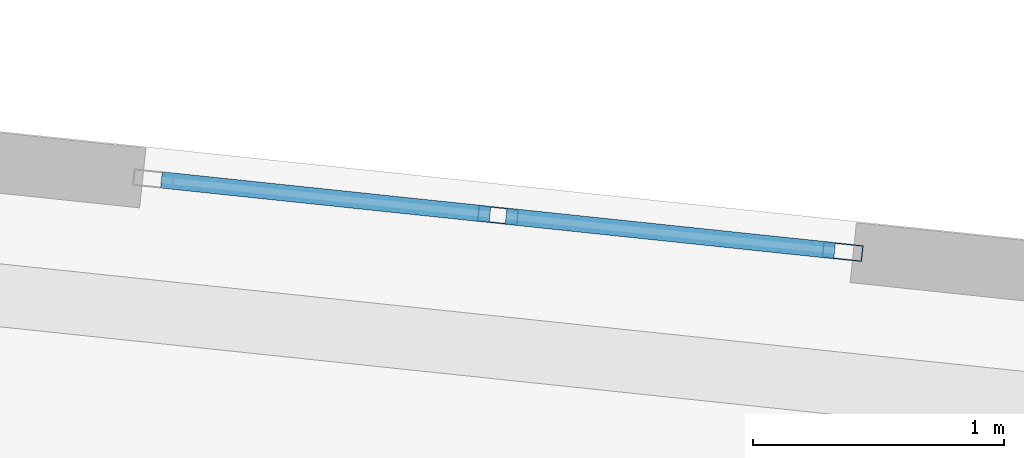
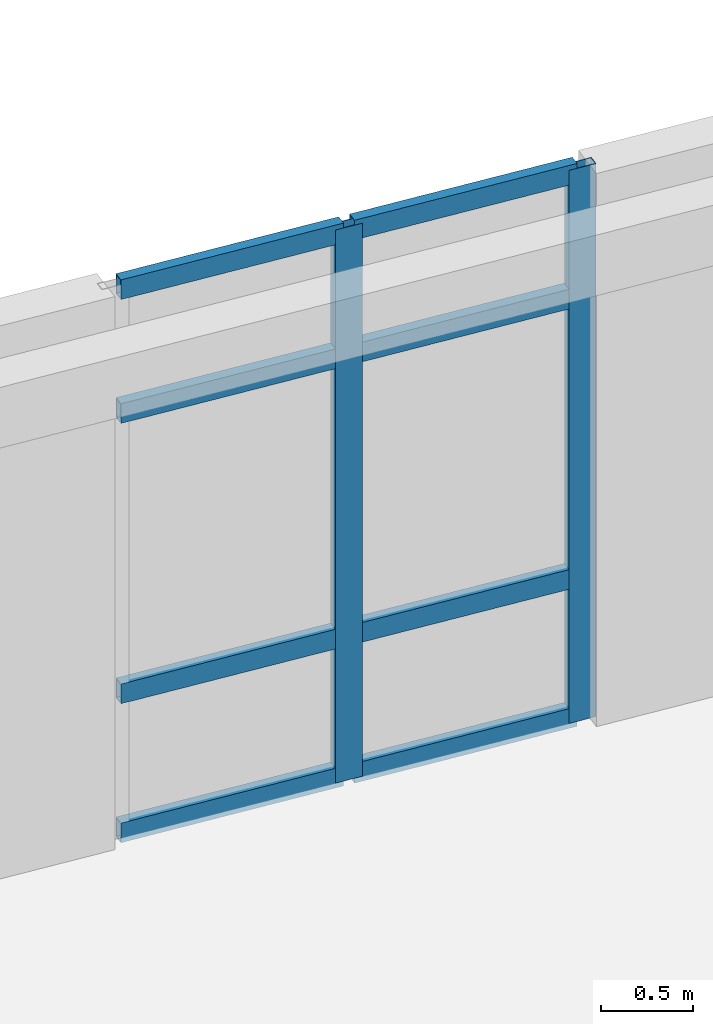
# One storey, part 62 of 150: 10 members, 1 element without a shape of its own.
"""IFC4 building model written with IfcOpenShell, lengths in metres."""

from ifc_helpers import new_model, si_unit, direction, frame, origin, origin_2d, place, context, subcontext, project, spatial, hollow_rectangle, extrude, material, material_profile, profile_set, type_object, element, aggregate, save


model = new_model("IFC4")

# Units and contexts
model_context = context("Model", 3, precision=1e-05, world=origin(), true_north=direction((0.0, 1.0)))
body_context = subcontext(model_context, "Body", "Model", "MODEL_VIEW")
ifc_project = project(units=[si_unit("LENGTHUNIT", "METRE"), si_unit("AREAUNIT", "SQUARE_METRE"), si_unit("VOLUMEUNIT", "CUBIC_METRE"), si_unit("PLANEANGLEUNIT", "RADIAN"), si_unit("MASSUNIT", "GRAM", prefix="KILO")], contexts=[model_context])

# Site, building, storey
site_placement = place(None, origin())
site = spatial("IfcSite", under=ifc_project, at=site_placement, CompositionType="ELEMENT")
building_placement = place(site_placement, origin())
building = spatial("IfcBuilding", under=site, at=building_placement, Name="Kestramere Prow Commons", CompositionType="ELEMENT")
storey_placement = place(building_placement, frame((0.0, 0.0, 4.5)))
storey = spatial("IfcBuildingStorey", under=building, at=storey_placement, Name="L01", CompositionType="ELEMENT", Elevation=4.5)

# Curtain wall, members
ifc_material_1 = material(Name="Anodised Aluminium and Low-E Glass", Category="aluminium")
curtain_wall_type = type_object("IfcCurtainWallType", Name="CW-02 Glazed Curtain Wall 2830x3650", PredefinedType="USERDEFINED", material=ifc_material_1)
curtain_wall_placement = place(storey_placement, origin())
curtain_wall = element("IfcCurtainWall", 1, at=curtain_wall_placement, inside=storey, type_object=curtain_wall_type, Name="Block B L01 Stairwell Vertical Glazing 4", ObjectType="GLAZED CURTAIN WALL", PredefinedType="USERDEFINED")
ifc_material_2 = material(Name="Anodised Aluminium 6063-T6", Category="aluminium")
ifc_material_profile_1 = material_profile(ifc_material_2, hollow_rectangle(XDim=0.06494140625, YDim=0.159912109375, WallThickness=0.00390625, at=origin_2d()), Name="ALU-MUL 65x160")
ifc_profile_set_1 = profile_set([ifc_material_profile_1], Name="Anodised Aluminium 6063-T6")
member_type_1 = type_object("IfcMemberType", Name="CW-MUL-65x160", PredefinedType="MULLION", material=ifc_profile_set_1)
member_1_placement = place(storey_placement, frame((139.9501953125, 111.887939453125, 0.0), z_axis=(0.0, 0.0, 1.0), x_axis=(0.104528618845, 0.994521879016, 0.0)))
member_1 = element("IfcMember", 2, at=member_1_placement, type_object=member_type_1, Name="CW-02 mullion 2", PredefinedType="MULLION", context=body_context, shape_type="SweptSolid", body=[
    extrude(hollow_rectangle(XDim=0.06494140625, YDim=0.159912109375, WallThickness=0.00390625, at=origin_2d()), origin(), (0.0, 0.0, 1.0), 3.64990234375),
])
member_2_placement = place(storey_placement, frame((141.3251953125, 111.743408203125, 0.0), z_axis=(0.0, 0.0, 1.0), x_axis=(0.104528618845, 0.994521879016, 0.0)))
member_2 = element("IfcMember", 3, at=member_2_placement, type_object=member_type_1, Name="CW-02 mullion 3", PredefinedType="MULLION", context=body_context, shape_type="SweptSolid", body=[
    extrude(hollow_rectangle(XDim=0.06494140625, YDim=0.159912109375, WallThickness=0.00390625, at=origin_2d()), origin(), (0.0, 0.0, 1.0), 3.64990234375),
])
ifc_material_profile_2 = material_profile(ifc_material_2, hollow_rectangle(XDim=0.06494140625, YDim=0.1298828125, WallThickness=0.00390625, at=origin_2d()), Name="ALU-TRN 65x130")
ifc_profile_set_2 = profile_set([ifc_material_profile_2], Name="Anodised Aluminium 6063-T6")
member_type_2 = type_object("IfcMemberType", Name="CW-TRN-65x130", PredefinedType="USERDEFINED", material=ifc_profile_set_2)
member_3_placement = place(storey_placement, frame((138.607666015625, 112.029052734375, 0.032470703125), z_axis=(0.994523714271, -0.104511156111, 0.0), x_axis=(0.104511156111, 0.994523714271, 0.0)))
member_3 = element("IfcMember", 4, at=member_3_placement, type_object=member_type_2, Name="CW-02 transom 1.1", ObjectType="TRANSOM", PredefinedType="USERDEFINED", context=body_context, shape_type="SweptSolid", body=[
    extrude(hollow_rectangle(XDim=0.06494140625, YDim=0.1298828125, WallThickness=0.00390625, at=origin_2d()), origin(), (0.0, 0.0, 1.0), 1.317626953125),
])
member_4_placement = place(storey_placement, frame((138.607666015625, 112.029052734375, 0.949951171875), z_axis=(0.994523714271, -0.104511156111, 0.0), x_axis=(0.104511156111, 0.994523714271, 0.0)))
member_4 = element("IfcMember", 5, at=member_4_placement, type_object=member_type_2, Name="CW-02 transom 1.2", ObjectType="TRANSOM", PredefinedType="USERDEFINED", context=body_context, shape_type="SweptSolid", body=[
    extrude(hollow_rectangle(XDim=0.06494140625, YDim=0.1298828125, WallThickness=0.00390625, at=origin_2d()), origin(), (0.0, 0.0, 1.0), 1.317626953125),
])
member_5_placement = place(storey_placement, frame((138.607666015625, 112.029052734375, 2.800048828125), z_axis=(0.994523714271, -0.104511156111, 0.0), x_axis=(0.104511156111, 0.994523714271, 0.0)))
member_5 = element("IfcMember", 6, at=member_5_placement, type_object=member_type_2, Name="CW-02 transom 1.3", ObjectType="TRANSOM", PredefinedType="USERDEFINED", context=body_context, shape_type="SweptSolid", body=[
    extrude(hollow_rectangle(XDim=0.06494140625, YDim=0.1298828125, WallThickness=0.00390625, at=origin_2d()), origin(), (0.0, 0.0, 1.0), 1.317626953125),
])
member_6_placement = place(storey_placement, frame((138.607666015625, 112.029052734375, 3.617431640625), z_axis=(0.994523714271, -0.104511156111, 0.0), x_axis=(0.104511156111, 0.994523714271, 0.0)))
member_6 = element("IfcMember", 7, at=member_6_placement, type_object=member_type_2, Name="CW-02 transom 1.4", ObjectType="TRANSOM", PredefinedType="USERDEFINED", context=body_context, shape_type="SweptSolid", body=[
    extrude(hollow_rectangle(XDim=0.06494140625, YDim=0.1298828125, WallThickness=0.00390625, at=origin_2d()), origin(), (0.0, 0.0, 1.0), 1.317626953125),
])
member_7_placement = place(storey_placement, frame((139.982666015625, 111.884521484375, 0.032470703125), z_axis=(0.994523714271, -0.104511156111, 0.0), x_axis=(0.104511156111, 0.994523714271, 0.0)))
member_7 = element("IfcMember", 8, at=member_7_placement, type_object=member_type_2, Name="CW-02 transom 2.1", ObjectType="TRANSOM", PredefinedType="USERDEFINED", context=body_context, shape_type="SweptSolid", body=[
    extrude(hollow_rectangle(XDim=0.06494140625, YDim=0.1298828125, WallThickness=0.00390625, at=origin_2d()), origin(), (0.0, 0.0, 1.0), 1.317626953125),
])
member_8_placement = place(storey_placement, frame((139.982666015625, 111.884521484375, 0.949951171875), z_axis=(0.994523714271, -0.104511156111, 0.0), x_axis=(0.104511156111, 0.994523714271, 0.0)))
member_8 = element("IfcMember", 9, at=member_8_placement, type_object=member_type_2, Name="CW-02 transom 2.2", ObjectType="TRANSOM", PredefinedType="USERDEFINED", context=body_context, shape_type="SweptSolid", body=[
    extrude(hollow_rectangle(XDim=0.06494140625, YDim=0.1298828125, WallThickness=0.00390625, at=origin_2d()), origin(), (0.0, 0.0, 1.0), 1.317626953125),
])
member_9_placement = place(storey_placement, frame((139.982666015625, 111.884521484375, 2.800048828125), z_axis=(0.994523714271, -0.104511156111, 0.0), x_axis=(0.104511156111, 0.994523714271, 0.0)))
member_9 = element("IfcMember", 10, at=member_9_placement, type_object=member_type_2, Name="CW-02 transom 2.3", ObjectType="TRANSOM", PredefinedType="USERDEFINED", context=body_context, shape_type="SweptSolid", body=[
    extrude(hollow_rectangle(XDim=0.06494140625, YDim=0.1298828125, WallThickness=0.00390625, at=origin_2d()), origin(), (0.0, 0.0, 1.0), 1.317626953125),
])
member_10_placement = place(storey_placement, frame((139.982666015625, 111.884521484375, 3.617431640625), z_axis=(0.994523714271, -0.104511156111, 0.0), x_axis=(0.104511156111, 0.994523714271, 0.0)))
member_10 = element("IfcMember", 11, at=member_10_placement, type_object=member_type_2, Name="CW-02 transom 2.4", ObjectType="TRANSOM", PredefinedType="USERDEFINED", context=body_context, shape_type="SweptSolid", body=[
    extrude(hollow_rectangle(XDim=0.06494140625, YDim=0.1298828125, WallThickness=0.00390625, at=origin_2d()), origin(), (0.0, 0.0, 1.0), 1.317626953125),
])
aggregate(curtain_wall, [member_1, member_2, member_3, member_4, member_5, member_6, member_7, member_8, member_9, member_10])

save(model, "model.ifc")
